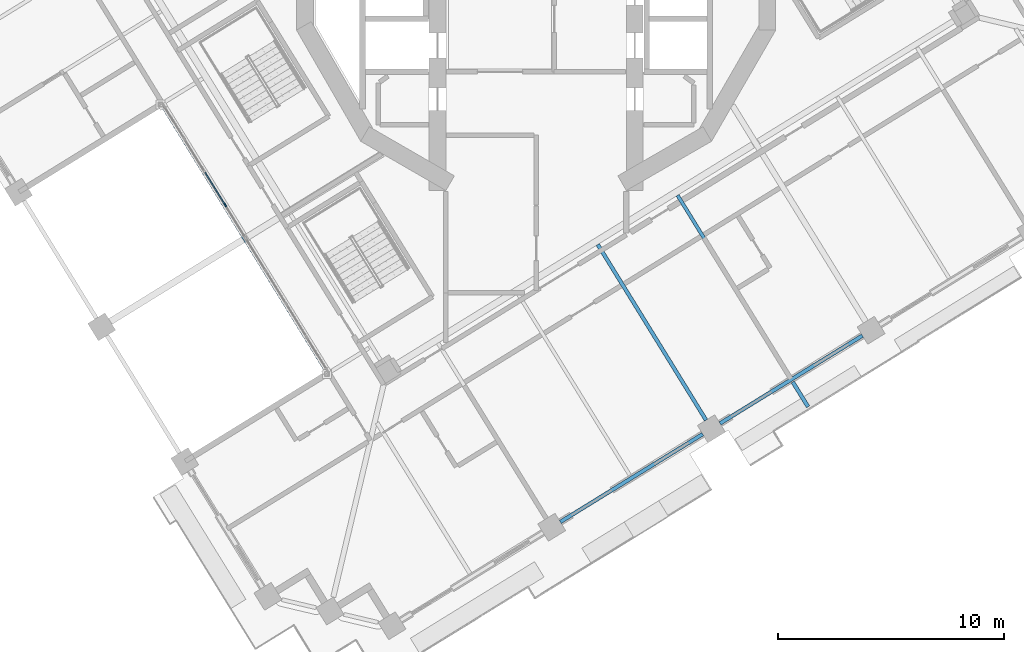
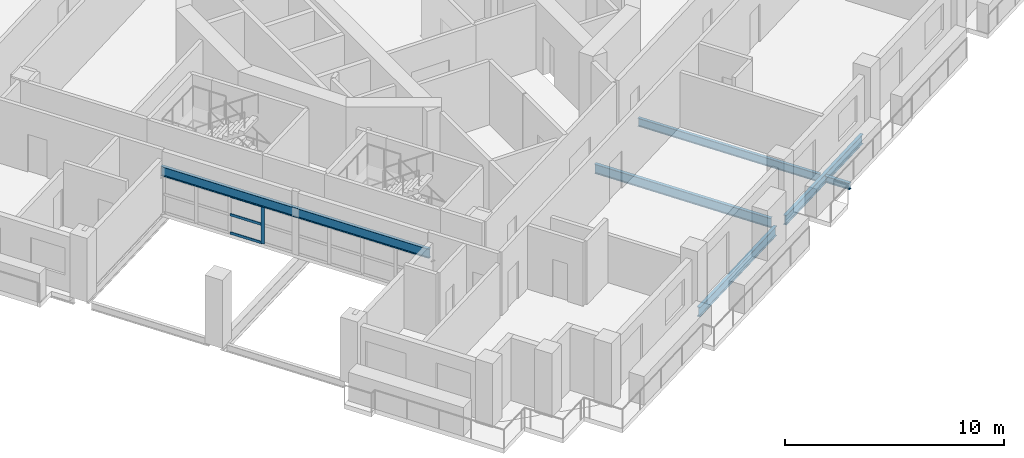
# One storey, part 4 of 22: 6 beams, 4 members, 1 element without a shape of its own.
"""IFC4 building model written with IfcOpenShell, lengths in metres."""

from ifc_helpers import new_model, si_unit, direction, frame, origin, origin_2d, place, context, subcontext, project, spatial, rectangle, i_section, extrude, material, material_profile, profile_set, type_object, element, aggregate, save


model = new_model("IFC4")

# Units and contexts
model_context = context("Model", 3, precision=1e-05, world=origin(), true_north=direction((0.0, 1.0)))
body_context = subcontext(model_context, "Body", "Model", "MODEL_VIEW")
ifc_project = project(units=[si_unit("LENGTHUNIT", "METRE"), si_unit("AREAUNIT", "SQUARE_METRE"), si_unit("VOLUMEUNIT", "CUBIC_METRE"), si_unit("PLANEANGLEUNIT", "RADIAN"), si_unit("MASSUNIT", "GRAM", prefix="KILO")], contexts=[model_context])

# Site, building, storey
site_placement = place(None, origin())
site = spatial("IfcSite", under=ifc_project, at=site_placement, CompositionType="ELEMENT")
building_placement = place(site_placement, origin())
building = spatial("IfcBuilding", under=site, at=building_placement, Name="Cantera Rosa Tower", CompositionType="ELEMENT")
storey_placement = place(building_placement, frame((0.0, 0.0, 162.800048828125)))
storey = spatial("IfcBuildingStorey", under=building, at=storey_placement, Name="L35", CompositionType="ELEMENT", Elevation=162.800048828125)

# Curtain wall, members
ifc_material_1 = material(Name="Aluminium frame with clear glass", Category="aluminium")
curtain_wall_type = type_object("IfcCurtainWallType", Name="CW1 TERRACE POCKET GLAZING", PredefinedType="NOTDEFINED", material=ifc_material_1)
curtain_wall_placement = place(storey_placement, origin())
curtain_wall = element("IfcCurtainWall", 1, at=curtain_wall_placement, inside=storey, type_object=curtain_wall_type, Name="CW1 CW1", PredefinedType="NOTDEFINED")
ifc_material_2 = material(Name="Anodised bronze aluminium", Category="aluminium")
ifc_material_profile_1 = material_profile(ifc_material_2, rectangle(XDim=0.06005859375, YDim=0.179931640625, at=origin_2d()), Name="CW-MULLION 60x180 POCKET")
ifc_profile_set_1 = profile_set([ifc_material_profile_1], Name="Anodised bronze aluminium")
member_type_1 = type_object("IfcMemberType", Name="CW-MULLION 60x180 POCKET", PredefinedType="MULLION", material=ifc_profile_set_1)
member_1_placement = place(storey_placement, frame((-13.78662109375, -10.602294921875, 0.0), z_axis=(0.0, 0.0, 1.0), x_axis=(0.851116672416, 0.524976580369, 0.0)))
member_1 = element("IfcMember", 2, at=member_1_placement, type_object=member_type_1, Name="CW1 mullion 4", PredefinedType="MULLION", context=body_context, shape_type="SweptSolid", body=[
    extrude(rectangle(XDim=0.06005859375, YDim=0.179931640625, at=origin_2d()), origin(), (0.0, 0.0, 1.0), 2.10400390625),
])
ifc_material_3 = material(Name="Anodised bronze aluminium", Category="aluminium")
ifc_material_profile_2 = material_profile(ifc_material_3, rectangle(XDim=0.06005859375, YDim=0.139892578125, at=origin_2d()), Name="CW-TRANSOM 60x140 POCKET")
ifc_profile_set_2 = profile_set([ifc_material_profile_2], Name="Anodised bronze aluminium")
member_type_2 = type_object("IfcMemberType", Name="CW-TRANSOM 60x140 POCKET", PredefinedType="USERDEFINED", material=ifc_profile_set_2)
member_2_placement = place(storey_placement, frame((-14.67578125, -9.160888671875, 0.030029296875), z_axis=(0.525030443539, -0.851083446765, 0.0), x_axis=(0.851083446765, 0.525030443539, 0.0)))
member_2 = element("IfcMember", 3, at=member_2_placement, type_object=member_type_2, Name="CW1 transom 3.1", ObjectType="TRANSOM", PredefinedType="USERDEFINED", context=body_context, shape_type="SweptSolid", body=[
    extrude(rectangle(XDim=0.06005859375, YDim=0.139892578125, at=origin_2d()), origin(), (0.0, 0.0, 1.0), 1.663818359375),
])
member_3_placement = place(storey_placement, frame((-14.67578125, -9.160888671875, 1.052001953125), z_axis=(0.525030443539, -0.851083446765, 0.0), x_axis=(0.851083446765, 0.525030443539, 0.0)))
member_3 = element("IfcMember", 4, at=member_3_placement, type_object=member_type_2, Name="CW1 transom 3.2", ObjectType="TRANSOM", PredefinedType="USERDEFINED", context=body_context, shape_type="SweptSolid", body=[
    extrude(rectangle(XDim=0.06005859375, YDim=0.139892578125, at=origin_2d()), origin(), (0.0, 0.0, 1.0), 1.663818359375),
])
member_4_placement = place(storey_placement, frame((-14.67578125, -9.160888671875, 2.073974609375), z_axis=(0.525030443539, -0.851083446765, 0.0), x_axis=(0.851083446765, 0.525030443539, 0.0)))
member_4 = element("IfcMember", 5, at=member_4_placement, type_object=member_type_2, Name="CW1 transom 3.3", ObjectType="TRANSOM", PredefinedType="USERDEFINED", context=body_context, shape_type="SweptSolid", body=[
    extrude(rectangle(XDim=0.06005859375, YDim=0.139892578125, at=origin_2d()), origin(), (0.0, 0.0, 1.0), 1.663818359375),
])
aggregate(curtain_wall, [member_1, member_2, member_3, member_4])

# Beams
ifc_material_4 = material(Name="Steel ASTM A992 (Fy 345 MPa)", Category="steel")
ifc_material_profile_3 = material_profile(ifc_material_4, i_section(OverallWidth=0.166015625, OverallDepth=0.528076171875, WebThickness=0.009765625, FlangeThickness=0.013671875, FilletRadius=0.0126953125, at=origin_2d()), Name="W530X74")
ifc_profile_set_3 = profile_set([ifc_material_profile_3], Name="Steel ASTM A992 (Fy 345 MPa)")
beam_type_1 = type_object("IfcBeamType", Name="STEEL BEAM W530X74", PredefinedType="BEAM", material=ifc_profile_set_3)
beam_1_placement = place(storey_placement, frame((7.536376953125, -20.142578125, -0.51416015625), z_axis=(-0.524965057427, 0.851123779764, 0.0), x_axis=(-0.851123779764, -0.524965057427, 0.0)))
element("IfcBeam", 6, at=beam_1_placement, inside=storey, type_object=beam_type_1, Name="G-Z3-10 L35", PredefinedType="BEAM", context=body_context, shape_type="SweptSolid", body=[
    extrude(i_section(OverallWidth=0.166015625, OverallDepth=0.528076171875, WebThickness=0.009765625, FlangeThickness=0.013671875, FilletRadius=0.0126953125, at=origin_2d()), origin(), (0.0, 0.0, 1.0), 9.150146484375),
])
beam_2_placement = place(storey_placement, frame((-16.583251953125, -6.16357421875, 2.369873046875), z_axis=(0.524975617117, -0.851117266557, 0.0), x_axis=(0.851117266557, 0.524975617117, 0.0)))
element("IfcBeam", 7, at=beam_2_placement, inside=storey, type_object=beam_type_1, Name="LINTEL SL-L35", PredefinedType="BEAM", context=body_context, shape_type="SweptSolid", body=[
    extrude(i_section(OverallWidth=0.166015625, OverallDepth=0.528076171875, WebThickness=0.009765625, FlangeThickness=0.013671875, FilletRadius=0.0126953125, at=origin_2d()), origin(), (0.0, 0.0, 1.0), 13.93994140625),
])
ifc_material_5 = material(Name="Steel ASTM A992 (Fy 345 MPa)", Category="steel")
ifc_material_profile_4 = material_profile(ifc_material_5, i_section(OverallWidth=0.1708984375, OverallDepth=0.35595703125, WebThickness=0.00732421875, FlangeThickness=0.01171875, FilletRadius=0.010009765625, at=origin_2d()), Name="W360X51")
ifc_profile_set_4 = profile_set([ifc_material_profile_4], Name="Steel ASTM A992 (Fy 345 MPa)")
beam_type_2 = type_object("IfcBeamType", Name="STEEL JOIST W360X51", PredefinedType="JOIST", material=ifc_profile_set_4)
beam_3_placement = place(storey_placement, frame((11.381591796875, -18.4521484375, -0.427978515625), z_axis=(0.524836157482, -0.851203270552, 0.0), x_axis=(0.851203270552, 0.524836157482, 0.0)))
element("IfcBeam", 8, at=beam_3_placement, inside=storey, type_object=beam_type_2, Name="BS-Z3-11 L35", PredefinedType="JOIST", context=body_context, shape_type="SweptSolid", body=[
    extrude(i_section(OverallWidth=0.1708984375, OverallDepth=0.35595703125, WebThickness=0.00732421875, FlangeThickness=0.01171875, FilletRadius=0.010009765625, at=origin_2d()), origin(), (0.0, 0.0, 1.0), 1.290283203125),
])
ifc_material_6 = material(Name="Steel ASTM A992 (Fy 345 MPa)", Category="steel")
ifc_material_profile_5 = material_profile(ifc_material_6, i_section(OverallWidth=0.154052734375, OverallDepth=0.4599609375, WebThickness=0.009033203125, FlangeThickness=0.015380859375, FilletRadius=0.01025390625, at=origin_2d()), Name="W460X68")
ifc_profile_set_5 = profile_set([ifc_material_profile_5], Name="Steel ASTM A992 (Fy 345 MPa)")
beam_type_3 = type_object("IfcBeamType", Name="STEEL JOIST W460X68", PredefinedType="JOIST", material=ifc_profile_set_5)
beam_4_placement = place(storey_placement, frame((11.234619140625, -18.2138671875, -0.47998046875), z_axis=(-0.524992267726, 0.85110699611, 0.0), x_axis=(-0.85110699611, -0.524992267726, 0.0)))
element("IfcBeam", 9, at=beam_4_placement, inside=storey, type_object=beam_type_3, Name="B-Z3-13 L35", PredefinedType="JOIST", context=body_context, shape_type="SweptSolid", body=[
    extrude(i_section(OverallWidth=0.154052734375, OverallDepth=0.4599609375, WebThickness=0.009033203125, FlangeThickness=0.015380859375, FilletRadius=0.01025390625, at=origin_2d()), origin(), (0.0, 0.0, 1.0), 9.449951171875),
])
ifc_material_7 = material(Name="Steel ASTM A992 (Fy 345 MPa)", Category="steel")
ifc_material_profile_6 = material_profile(ifc_material_7, i_section(OverallWidth=0.166015625, OverallDepth=0.528076171875, WebThickness=0.009765625, FlangeThickness=0.013671875, FilletRadius=0.0126953125, at=origin_2d()), Name="W530X74")
ifc_profile_set_6 = profile_set([ifc_material_profile_6], Name="Steel ASTM A992 (Fy 345 MPa)")
beam_type_4 = type_object("IfcBeamType", Name="STEEL SPANDREL BEAM W530X74", PredefinedType="SPANDREL", material=ifc_profile_set_6)
for number, where, z_axis, x_axis, name in (
    (10, (1.07421875, -24.656982421875, -0.51416015625), (0.85112578684, 0.524961803349, 0.0), (-0.524961803349, 0.85112578684, 0.0), "EB-Z3-23 L35"),
    (11, (8.155517578125, -20.289306640625, -0.51416015625), (0.851111085575, 0.524985637909, 0.0), (-0.524985637909, 0.851111085575, 0.0), "EB-Z3-24 L35"),
):
    element("IfcBeam", number, at=place(storey_placement, frame(where, z_axis=z_axis, x_axis=x_axis)), inside=storey, type_object=beam_type_4, Name=name, PredefinedType="SPANDREL", context=body_context, shape_type="SweptSolid", body=[
        extrude(i_section(OverallWidth=0.166015625, OverallDepth=0.528076171875, WebThickness=0.009765625, FlangeThickness=0.013671875, FilletRadius=0.0126953125, at=origin_2d()), origin(), (0.0, 0.0, 1.0), 7.420166015625),
    ])

save(model, "model.ifc")
